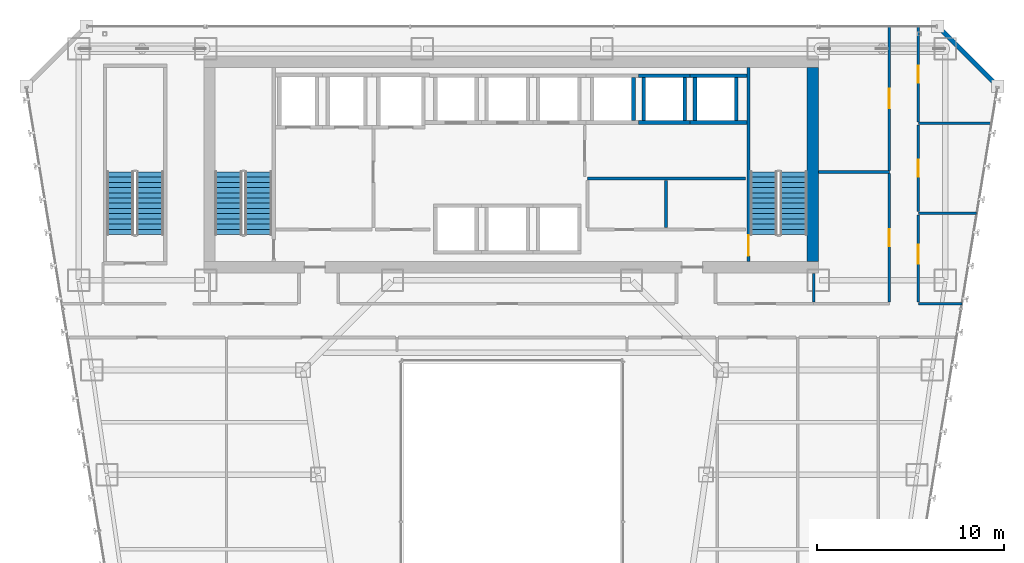
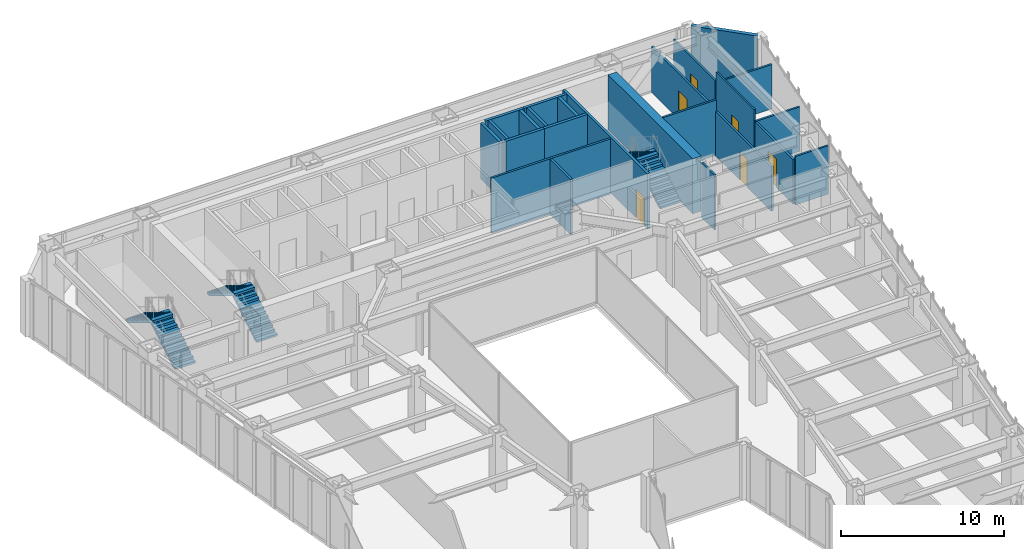
# One storey, part 38 of 47: 24 walls, 6 doors, 6 stair flights, 6 openings, 3 elements without a shape of their own.
"""IFC4 building model written with IfcOpenShell, lengths in metres."""

from ifc_helpers import new_model, si_unit, direction, frame, frame_2d, origin, place, context, subcontext, project, spatial, polyline, rectangle, outline, extrude, material, layer, layer_set, type_object, element, fill, aggregate, save


model = new_model("IFC4")

# Units and contexts
model_context = context("Model", 3, precision=1e-05, world=origin(), true_north=direction((0.0, 1.0)))
body_context = subcontext(model_context, "Body", "Model", "MODEL_VIEW")
ifc_project = project(units=[si_unit("LENGTHUNIT", "METRE"), si_unit("AREAUNIT", "SQUARE_METRE"), si_unit("VOLUMEUNIT", "CUBIC_METRE"), si_unit("PLANEANGLEUNIT", "RADIAN"), si_unit("MASSUNIT", "GRAM", prefix="KILO")], contexts=[model_context])

# Site, building, storey
site_placement = place(None, origin())
site = spatial("IfcSite", under=ifc_project, at=site_placement, CompositionType="ELEMENT")
building_placement = place(site_placement, origin())
building = spatial("IfcBuilding", under=site, at=building_placement, Name="Saevonmaru Cultural Tower", CompositionType="ELEMENT")
storey_placement = place(building_placement, frame((0.0, 0.0, 56.0)))
storey = spatial("IfcBuildingStorey", under=building, at=storey_placement, Name="L11", CompositionType="ELEMENT", Elevation=56.0)

# Walls
ifc_material_1 = material(Name="Concrete C60/75", Category="concrete")
ifc_layer_1 = layer(ifc_material_1, 0.60009765625, Name="Concrete C60/75")
ifc_layer_set_1 = layer_set([ifc_layer_1], Name="Concrete C60/75")
wall_type_1 = type_object("IfcWallType", Name="WL-CORE-600", PredefinedType="SHEAR", material=ifc_layer_set_1)
wall_1_placement = place(storey_placement, frame((46.10009765625, 43.39990234375, 0.0), z_axis=(0.0, 0.0, 1.0), x_axis=(0.0, 1.0, 0.0)))
element("IfcWall", 1, at=wall_1_placement, inside=storey, type_object=wall_type_1, Name="L11 Tower RC core shear wall E", PredefinedType="SHEAR", context=body_context, shape_type="SweptSolid", body=[
    extrude(rectangle(XDim=10.400146484375, YDim=0.60009765625, at=frame_2d((5.2001953125, 0.0))), origin(), (0.0, 0.0, 1.0), 4.14990234375),
])
ifc_material_2 = material(Name="Gypsum Fireboard Partition", Category="gypsum")
ifc_layer_2 = layer(ifc_material_2, 0.14990234375, Name="Gypsum Fireboard Partition")
ifc_layer_set_2 = layer_set([ifc_layer_2], Name="Gypsum Fireboard Partition")
wall_type_2 = type_object("IfcWallType", Name="WL-CORE-PART-150", PredefinedType="PARTITIONING", material=ifc_layer_set_2)
wall_2_placement = place(storey_placement, frame((34.050048828125, 47.85009765625, 0.0), z_axis=(0.0, 0.0, 1.0), x_axis=(1.0, 0.0, 0.0)))
element("IfcWall", 2, at=wall_2_placement, inside=storey, type_object=wall_type_2, Name="L11 Core Plant North Wall", PredefinedType="PARTITIONING", context=body_context, shape_type="SweptSolid", body=[
    extrude(rectangle(XDim=8.449951171875, YDim=0.14990234375, at=frame_2d((4.22509765625, 0.0))), origin(), (0.0, 0.0, 1.0), 4.14990234375),
])
wall_3_placement = place(storey_placement, frame((38.25, 45.219970703125, 0.0), z_axis=(0.0, 0.0, 1.0), x_axis=(0.0, 1.0, 0.0)))
element("IfcWall", 3, at=wall_3_placement, inside=storey, type_object=wall_type_2, Name="L11 Core Plant Split", PredefinedType="PARTITIONING", context=body_context, shape_type="SweptSolid", body=[
    extrude(rectangle(XDim=2.530029296875, YDim=0.14990234375, at=frame_2d((1.26513671875, 0.0))), origin(), (0.0, 0.0, 1.0), 4.14990234375),
])
ifc_material_3 = material(Name="Granite-Clad Precast Concrete C40/50", Category="masonry")
ifc_layer_3 = layer(ifc_material_3, 0.260009765625, Name="Granite-Clad Precast Concrete C40/50")
ifc_layer_set_3 = layer_set([ifc_layer_3], Name="Granite-Clad Precast Concrete C40/50")
wall_type_3 = type_object("IfcWallType", Name="WL-EXT-SPANDREL-260", PredefinedType="STANDARD", material=ifc_layer_set_3)
wall_4_placement = place(storey_placement, frame((55.886962890625, 52.9130859375, 0.0), z_axis=(0.0, 0.0, 1.0), x_axis=(-0.707106781187, 0.707106781187, 0.0)))
element("IfcWall", 4, at=wall_4_placement, inside=storey, type_object=wall_type_3, Name="L11 Chamfer Corner Spandrel Wall E9", PredefinedType="STANDARD", context=body_context, shape_type="SweptSolid", body=[
    extrude(rectangle(XDim=4.205810546875, YDim=0.260009765625, at=frame_2d((2.10302734375, 0.0))), origin(), (0.0, 0.0, 1.0), 4.14990234375),
])

# Wall, opening, door
ifc_layer_4 = layer(ifc_material_2, 0.14990234375, Name="Gypsum Fireboard Partition")
ifc_layer_set_4 = layer_set([ifc_layer_4], Name="Gypsum Fireboard Partition")
wall_type_4 = type_object("IfcWallType", Name="WL-PART-FIRE-150", PredefinedType="PARTITIONING", material=ifc_layer_set_4)
wall_5_placement = place(storey_placement, frame((50.199951171875, 48.2900390625, 0.0), z_axis=(0.0, 0.0, 1.0), x_axis=(0.0, 1.0, 0.0)))
wall_5 = element("IfcWall", 5, at=wall_5_placement, inside=storey, type_object=wall_type_4, Name="L11 Permanent Exhibition Gallery Corridor Wall", PredefinedType="PARTITIONING", context=body_context, shape_type="SweptSolid", body=[
    extrude(rectangle(XDim=7.705078125, YDim=0.14990234375, at=frame_2d((3.8525390625, 0.0))), origin(), (0.0, 0.0, 1.0), 3.43505859375),
])
opening_1_placement = place(wall_5_placement, frame((3.326904296875, 0.0, 0.0)))
opening_1 = element("IfcOpeningElement", 6, at=opening_1_placement, cuts=wall_5, Name="Opening ID-1", PredefinedType="OPENING", context=body_context, shape_type="SweptSolid", body=[
    extrude(rectangle(XDim=1.050048828125, YDim=2.14990234375, at=frame_2d((0.52490234375, 1.074951171875))), frame((0.0, 0.0849609375, 0.0), z_axis=(0.0, -1.0, 0.0), x_axis=(1.0, 0.0, 0.0)), (0.0, 0.0, 1.0), 0.169921875),
])
ifc_material_4 = material(Name="Satin Bronze Anodised Aluminium", Category="aluminium")
door_type_1 = type_object("IfcDoorType", Name="DR-INT-1050", OperationType="SINGLE_SWING_LEFT", PredefinedType="DOOR", material=ifc_material_4)
door_1_placement = place(opening_1_placement, origin())
door_1 = element("IfcDoor", 7, at=door_1_placement, inside=storey, type_object=door_type_1, Name="L11 Permanent Exhibition Gallery Door", OperationType="SINGLE_SWING_LEFT", OverallHeight=2.14990234375, OverallWidth=1.050048828125, PredefinedType="DOOR", context=body_context, shape_type="SweptSolid", body=[
    extrude(rectangle(XDim=1.050048828125, YDim=2.14990234375, at=frame_2d((0.52490234375, 1.074951171875))), frame((0.0, 0.02490234375, 0.0), z_axis=(0.0, -1.0, 0.0), x_axis=(1.0, 0.0, 0.0)), (0.0, 0.0, 1.0), 0.050048828125),
])
fill(opening_1, door_1)

wall_6_placement = place(storey_placement, frame((51.75, 41.237548828125, 0.0), z_axis=(0.0, 0.0, 1.0), x_axis=(0.0, 1.0, 0.0)))
wall_6 = element("IfcWall", 8, at=wall_6_placement, inside=storey, type_object=wall_type_4, Name="L11 Chamber Rehearsal Auditorium Corridor Wall", PredefinedType="PARTITIONING", context=body_context, shape_type="SweptSolid", body=[
    extrude(rectangle(XDim=4.675048828125, YDim=0.14990234375, at=frame_2d((2.33740234375, 0.0))), origin(), (0.0, 0.0, 1.0), 3.3349609375),
])
opening_2_placement = place(wall_6_placement, frame((2.05810546875, 0.0, 0.0)))
opening_2 = element("IfcOpeningElement", 9, at=opening_2_placement, cuts=wall_6, Name="Opening ID-1B", PredefinedType="OPENING", context=body_context, shape_type="SweptSolid", body=[
    extrude(rectangle(XDim=1.0, YDim=2.14990234375, at=frame_2d((0.5, 1.074951171875))), frame((0.0, 0.0849609375, 0.0), z_axis=(0.0, -1.0, 0.0), x_axis=(1.0, 0.0, 0.0)), (0.0, 0.0, 1.0), 0.169921875),
])
ifc_material_5 = material(Name="Acoustic Stained Oak Timber", Category="wood")
door_type_2 = type_object("IfcDoorType", Name="DR-INT-1000", OperationType="SINGLE_SWING_RIGHT", PredefinedType="DOOR", material=ifc_material_5)
door_2_placement = place(opening_2_placement, origin())
door_2 = element("IfcDoor", 10, at=door_2_placement, inside=storey, type_object=door_type_2, Name="L11 Chamber Rehearsal Auditorium Door", OperationType="SINGLE_SWING_RIGHT", OverallHeight=2.14990234375, OverallWidth=1.0, PredefinedType="DOOR", context=body_context, shape_type="SweptSolid", body=[
    extrude(rectangle(XDim=1.0, YDim=2.14990234375, at=frame_2d((0.5, 1.074951171875))), frame((0.0, 0.02490234375, 0.0), z_axis=(0.0, -1.0, 0.0), x_axis=(1.0, 0.0, 0.0)), (0.0, 0.0, 1.0), 0.050048828125),
])
fill(opening_2, door_2)

ifc_layer_5 = layer(ifc_material_2, 0.1201171875, Name="Gypsum Fireboard Partition")
ifc_layer_set_5 = layer_set([ifc_layer_5], Name="Gypsum Fireboard Partition")
wall_type_5 = type_object("IfcWallType", Name="WL-PART-GYP-120", PredefinedType="PARTITIONING", material=ifc_layer_set_5)
wall_7_placement = place(storey_placement, frame((51.75, 46.08740234375, 0.0), z_axis=(0.0, 0.0, 1.0), x_axis=(0.0, 1.0, 0.0)))
wall_7 = element("IfcWall", 11, at=wall_7_placement, inside=storey, type_object=wall_type_5, Name="L11 Urban Design Meeting Room Corridor Wall", PredefinedType="PARTITIONING", context=body_context, shape_type="SweptSolid", body=[
    extrude(rectangle(XDim=4.625, YDim=0.1201171875, at=frame_2d((2.3125, 0.0))), origin(), (0.0, 0.0, 1.0), 4.14990234375),
])
opening_3_placement = place(wall_7_placement, frame((1.863037109375, 0.0, 0.0)))
opening_3 = element("IfcOpeningElement", 12, at=opening_3_placement, cuts=wall_7, Name="Opening ID-2", PredefinedType="OPENING", context=body_context, shape_type="SweptSolid", body=[
    extrude(rectangle(XDim=0.89990234375, YDim=2.10009765625, at=frame_2d((0.449951171875, 1.050048828125))), frame((0.0, 0.070068359375, 0.0), z_axis=(0.0, -1.0, 0.0), x_axis=(1.0, 0.0, 0.0)), (0.0, 0.0, 1.0), 0.14013671875),
])
door_type_3 = type_object("IfcDoorType", Name="DR-INT-900", OperationType="SINGLE_SWING_RIGHT", PredefinedType="DOOR", material=ifc_material_5)
door_3_placement = place(opening_3_placement, origin())
door_3 = element("IfcDoor", 13, at=door_3_placement, inside=storey, type_object=door_type_3, Name="L11 Urban Design Meeting Room Door", OperationType="SINGLE_SWING_LEFT", OverallHeight=2.10009765625, OverallWidth=0.89990234375, PredefinedType="DOOR", context=body_context, shape_type="SweptSolid", body=[
    extrude(rectangle(XDim=0.89990234375, YDim=2.10009765625, at=frame_2d((0.449951171875, 1.050048828125))), frame((0.0, 0.02490234375, 0.0), z_axis=(0.0, -1.0, 0.0), x_axis=(1.0, 0.0, 0.0)), (0.0, 0.0, 1.0), 0.050048828125),
])
fill(opening_3, door_3)

wall_8_placement = place(storey_placement, frame((51.75, 50.887451171875, 0.0), z_axis=(0.0, 0.0, 1.0), x_axis=(0.0, 1.0, 0.0)))
wall_8 = element("IfcWall", 14, at=wall_8_placement, inside=storey, type_object=wall_type_5, Name="L11 Calligraphy Teaching Studio Corridor Wall", PredefinedType="PARTITIONING", context=body_context, shape_type="SweptSolid", body=[
    extrude(rectangle(XDim=5.107666015625, YDim=0.1201171875, at=frame_2d((2.5537109375, 0.0))), origin(), (0.0, 0.0, 1.0), 3.43505859375),
])
opening_4_placement = place(wall_8_placement, frame((2.10400390625, 0.0, 0.0)))
opening_4 = element("IfcOpeningElement", 15, at=opening_4_placement, cuts=wall_8, Name="Opening ID-2", PredefinedType="OPENING", context=body_context, shape_type="SweptSolid", body=[
    extrude(rectangle(XDim=0.89990234375, YDim=2.10009765625, at=frame_2d((0.449951171875, 1.050048828125))), frame((0.0, 0.070068359375, 0.0), z_axis=(0.0, -1.0, 0.0), x_axis=(1.0, 0.0, 0.0)), (0.0, 0.0, 1.0), 0.14013671875),
])
door_4_placement = place(opening_4_placement, origin())
door_4 = element("IfcDoor", 16, at=door_4_placement, inside=storey, type_object=door_type_3, Name="L11 Calligraphy Teaching Studio Door", OperationType="SINGLE_SWING_RIGHT", OverallHeight=2.10009765625, OverallWidth=0.89990234375, PredefinedType="DOOR", context=body_context, shape_type="SweptSolid", body=[
    extrude(rectangle(XDim=0.89990234375, YDim=2.10009765625, at=frame_2d((0.449951171875, 1.050048828125))), frame((0.0, 0.02490234375, 0.0), z_axis=(0.0, -1.0, 0.0), x_axis=(1.0, 0.0, 0.0)), (0.0, 0.0, 1.0), 0.050048828125),
])
fill(opening_4, door_4)

# Walls
ifc_layer_6 = layer(ifc_material_2, 0.135009765625, Name="Gypsum Fireboard Partition")
ifc_layer_set_6 = layer_set([ifc_layer_6], Name="Gypsum Fireboard Partition")
wall_type_6 = type_object("IfcWallType", Name="WL-PART-GYP-135", PredefinedType="PARTITIONING", material=ifc_layer_set_6)
wall_9_placement = place(storey_placement, frame((51.75, 41.14990234375, 0.0), z_axis=(0.0, 0.0, 1.0), x_axis=(1.0, 0.0, 0.0)))
element("IfcWall", 17, at=wall_9_placement, inside=storey, type_object=wall_type_6, Name="L11 NE Wing South Wall", PredefinedType="PARTITIONING", context=body_context, shape_type="SweptSolid", body=[
    extrude(rectangle(XDim=2.3359375, YDim=0.135009765625, at=frame_2d((1.16796875, 0.0))), origin(), (0.0, 0.0, 1.0), 3.635009765625),
])
wall_10_placement = place(storey_placement, frame((51.75, 46.0, 0.0), z_axis=(0.0, 0.0, 1.0), x_axis=(1.0, 0.0, 0.0)))
element("IfcWall", 18, at=wall_10_placement, inside=storey, type_object=wall_type_6, Name="L11 NE Studio Divider 1", PredefinedType="PARTITIONING", context=body_context, shape_type="SweptSolid", body=[
    extrude(rectangle(XDim=3.130615234375, YDim=0.135009765625, at=frame_2d((1.5654296875, 0.0))), origin(), (0.0, 0.0, 1.0), 3.3349609375),
])
wall_11_placement = place(storey_placement, frame((51.75, 50.800048828125, 0.0), z_axis=(0.0, 0.0, 1.0), x_axis=(1.0, 0.0, 0.0)))
element("IfcWall", 19, at=wall_11_placement, inside=storey, type_object=wall_type_6, Name="L11 NE Studio Divider 2", PredefinedType="PARTITIONING", context=body_context, shape_type="SweptSolid", body=[
    extrude(rectangle(XDim=3.917236328125, YDim=0.135009765625, at=frame_2d((1.95849609375, 0.0))), origin(), (0.0, 0.0, 1.0), 3.3349609375),
])
ifc_layer_7 = layer(ifc_material_2, 0.139892578125, Name="Gypsum Fireboard Partition")
ifc_layer_set_7 = layer_set([ifc_layer_7], Name="Gypsum Fireboard Partition")
wall_type_7 = type_object("IfcWallType", Name="WL-PART-WET-140", PredefinedType="PARTITIONING", material=ifc_layer_set_7)
wall_12_placement = place(storey_placement, frame((46.14990234375, 41.239990234375, 0.0), z_axis=(0.0, 0.0, 1.0), x_axis=(0.0, 1.0, 0.0)))
element("IfcWall", 20, at=wall_12_placement, inside=storey, type_object=wall_type_7, Name="L11 Washroom South-West Return", PredefinedType="PARTITIONING", context=body_context, shape_type="SweptSolid", body=[
    extrude(rectangle(XDim=1.5400390625, YDim=0.139892578125, at=frame_2d((0.77001953125, 0.0))), origin(), (0.0, 0.0, 1.0), 4.14990234375),
])
wall_13_placement = place(storey_placement, frame((46.419921875, 48.199951171875, 0.0), z_axis=(0.0, 0.0, 1.0), x_axis=(1.0, 0.0, 0.0)))
element("IfcWall", 21, at=wall_13_placement, inside=storey, type_object=wall_type_7, Name="L11 Washroom North Wall", PredefinedType="PARTITIONING", context=body_context, shape_type="SweptSolid", body=[
    extrude(rectangle(XDim=3.780029296875, YDim=0.139892578125, at=frame_2d((1.89013671875, 0.0))), origin(), (0.0, 0.0, 1.0), 4.14990234375),
])

# Wall, opening, door
wall_14_placement = place(storey_placement, frame((50.199951171875, 41.239990234375, 0.0), z_axis=(0.0, 0.0, 1.0), x_axis=(0.0, 1.0, 0.0)))
wall_14 = element("IfcWall", 22, at=wall_14_placement, inside=storey, type_object=wall_type_7, Name="L11 Washroom Corridor Wall", PredefinedType="PARTITIONING", context=body_context, shape_type="SweptSolid", body=[
    extrude(rectangle(XDim=6.8701171875, YDim=0.139892578125, at=frame_2d((3.43505859375, 0.0))), origin(), (0.0, 0.0, 1.0), 3.3349609375),
])
opening_5_placement = place(wall_14_placement, frame((2.985107421875, 0.0, 0.0)))
opening_5 = element("IfcOpeningElement", 23, at=opening_5_placement, cuts=wall_14, Name="Opening ID-2", PredefinedType="OPENING", context=body_context, shape_type="SweptSolid", body=[
    extrude(rectangle(XDim=0.89990234375, YDim=2.10009765625, at=frame_2d((0.449951171875, 1.050048828125))), frame((0.0, 0.080078125, 0.0), z_axis=(0.0, -1.0, 0.0), x_axis=(1.0, 0.0, 0.0)), (0.0, 0.0, 1.0), 0.159912109375),
])
door_5_placement = place(opening_5_placement, origin())
door_5 = element("IfcDoor", 24, at=door_5_placement, inside=storey, type_object=door_type_3, Name="L11 Public Accessible Washrooms Door", OperationType="SINGLE_SWING_RIGHT", OverallHeight=2.10009765625, OverallWidth=0.89990234375, PredefinedType="DOOR", context=body_context, shape_type="SweptSolid", body=[
    extrude(rectangle(XDim=0.89990234375, YDim=2.10009765625, at=frame_2d((0.449951171875, 1.050048828125))), frame((0.0, 0.02490234375, 0.0), z_axis=(0.0, -1.0, 0.0), x_axis=(1.0, 0.0, 0.0)), (0.0, 0.0, 1.0), 0.050048828125),
])
fill(opening_5, door_5)

# Walls
ifc_material_6 = material(Name="Concrete C40/50", Category="concrete")
ifc_layer_8 = layer(ifc_material_6, 0.199951171875, Name="Concrete C40/50")
ifc_layer_set_8 = layer_set([ifc_layer_8], Name="Concrete C40/50")
wall_type_8 = type_object("IfcWallType", Name="WL-SHAFT-200", PredefinedType="SHEAR", material=ifc_layer_set_8)
wall_15_placement = place(storey_placement, frame((36.5, 50.949951171875, 0.0), z_axis=(0.0, 0.0, 1.0), x_axis=(0.0, 1.0, 0.0)))
element("IfcWall", 25, at=wall_15_placement, inside=storey, type_object=wall_type_8, Name="L11 Lift PL-H1 Hoistway Wall E", PredefinedType="SHEAR", context=body_context, shape_type="SweptSolid", body=[
    extrude(rectangle(XDim=2.300048828125, YDim=0.199951171875, at=frame_2d((1.14990234375, 0.0))), origin(), (0.0, 0.0, 1.0), 4.14990234375),
])
for number, where, z_axis, x_axis, name in (
    (26, (36.77490234375, 50.85009765625, 0.0), (0.0, 0.0, 1.0), (1.0, 0.0, 0.0), "L11 Lift PL-H2 Hoistway Wall S"),
    (27, (36.77490234375, 53.35009765625, 0.0), (0.0, 0.0, 1.0), (1.0, 0.0, 0.0), "L11 Lift PL-H2 Hoistway Wall N"),
):
    element("IfcWall", number, at=place(storey_placement, frame(where, z_axis=z_axis, x_axis=x_axis)), inside=storey, type_object=wall_type_8, Name=name, PredefinedType="SHEAR", context=body_context, shape_type="SweptSolid", body=[
        extrude(rectangle(XDim=2.75, YDim=0.199951171875, at=frame_2d((1.375, 0.0))), origin(), (0.0, 0.0, 1.0), 4.14990234375),
    ])
for number, where, z_axis, x_axis, name in (
    (28, (37.050048828125, 50.949951171875, 0.0), (0.0, 0.0, 1.0), (0.0, 1.0, 0.0), "L11 Lift PL-H2 Hoistway Wall W"),
    (29, (39.25, 50.949951171875, 0.0), (0.0, 0.0, 1.0), (0.0, 1.0, 0.0), "L11 Lift PL-H2 Hoistway Wall E"),
):
    element("IfcWall", number, at=place(storey_placement, frame(where, z_axis=z_axis, x_axis=x_axis)), inside=storey, type_object=wall_type_8, Name=name, PredefinedType="SHEAR", context=body_context, shape_type="SweptSolid", body=[
        extrude(rectangle(XDim=2.300048828125, YDim=0.199951171875, at=frame_2d((1.14990234375, 0.0))), origin(), (0.0, 0.0, 1.0), 4.14990234375),
    ])
for number, where, z_axis, x_axis, name in (
    (30, (39.52490234375, 50.85009765625, 0.0), (0.0, 0.0, 1.0), (1.0, 0.0, 0.0), "L11 Lift PL-H3 Hoistway Wall S"),
    (31, (39.52490234375, 53.35009765625, 0.0), (0.0, 0.0, 1.0), (1.0, 0.0, 0.0), "L11 Lift PL-H3 Hoistway Wall N"),
):
    element("IfcWall", number, at=place(storey_placement, frame(where, z_axis=z_axis, x_axis=x_axis)), inside=storey, type_object=wall_type_8, Name=name, PredefinedType="SHEAR", context=body_context, shape_type="SweptSolid", body=[
        extrude(rectangle(XDim=3.045166015625, YDim=0.199951171875, at=frame_2d((1.5224609375, 0.0))), origin(), (0.0, 0.0, 1.0), 4.14990234375),
    ])
for number, where, z_axis, x_axis, name in (
    (32, (39.800048828125, 50.949951171875, 0.0), (0.0, 0.0, 1.0), (0.0, 1.0, 0.0), "L11 Lift PL-H3 Hoistway Wall W"),
    (33, (42.0, 50.949951171875, 0.0), (0.0, 0.0, 1.0), (0.0, 1.0, 0.0), "L11 Lift PL-H3 Hoistway Wall E"),
):
    element("IfcWall", number, at=place(storey_placement, frame(where, z_axis=z_axis, x_axis=x_axis)), inside=storey, type_object=wall_type_8, Name=name, PredefinedType="SHEAR", context=body_context, shape_type="SweptSolid", body=[
        extrude(rectangle(XDim=2.300048828125, YDim=0.199951171875, at=frame_2d((1.14990234375, 0.0))), origin(), (0.0, 0.0, 1.0), 4.14990234375),
    ])

# Wall, opening, door
ifc_layer_9 = layer(ifc_material_6, 0.179931640625, Name="Concrete C40/50")
ifc_layer_set_9 = layer_set([ifc_layer_9], Name="Concrete C40/50")
wall_type_9 = type_object("IfcWallType", Name="WL-STSHAFT-180", PredefinedType="SHEAR", material=ifc_layer_set_9)
wall_16_placement = place(storey_placement, frame((42.659912109375, 53.800048828125, 0.0), z_axis=(0.0, 0.0, 1.0), x_axis=(0.0, -1.0, 0.0)))
wall_16 = element("IfcWall", 34, at=wall_16_placement, inside=storey, type_object=wall_type_9, Name="L11 Stair ST-2 Structural Shaft Wall 1", PredefinedType="SHEAR", context=body_context, shape_type="SweptSolid", body=[
    extrude(rectangle(XDim=10.400146484375, YDim=0.179931640625, at=frame_2d((5.2001953125, 0.0))), origin(), (0.0, 0.0, 1.0), 4.14990234375),
])
opening_6_placement = place(wall_16_placement, frame((8.989990234375, 0.0, 0.0)))
opening_6 = element("IfcOpeningElement", 35, at=opening_6_placement, cuts=wall_16, Name="Opening FD-2", PredefinedType="OPENING", context=body_context, shape_type="SweptSolid", body=[
    extrude(rectangle(XDim=1.10009765625, YDim=2.14990234375, at=frame_2d((0.550048828125, 1.074951171875))), frame((0.0, 0.10009765625, 0.0), z_axis=(0.0, -1.0, 0.0), x_axis=(1.0, 0.0, 0.0)), (0.0, 0.0, 1.0), 0.199951171875),
])
door_type_4 = type_object("IfcDoorType", Name="DR-FD60-1100", OperationType="SINGLE_SWING_LEFT", PredefinedType="DOOR", material=ifc_material_4)
door_6_placement = place(opening_6_placement, origin())
door_6 = element("IfcDoor", 36, at=door_6_placement, inside=storey, type_object=door_type_4, Name="L11 Protected Stair ST-2 Fire Door", OperationType="SINGLE_SWING_LEFT", OverallHeight=2.14990234375, OverallWidth=1.10009765625, PredefinedType="DOOR", context=body_context, shape_type="SweptSolid", body=[
    extrude(rectangle(XDim=1.10009765625, YDim=2.14990234375, at=frame_2d((0.550048828125, 1.074951171875))), frame((0.0, 0.02490234375, 0.0), z_axis=(0.0, -1.0, 0.0), x_axis=(1.0, 0.0, 0.0)), (0.0, 0.0, 1.0), 0.050048828125),
])
fill(opening_6, door_6)

# Stair, stair flights
stair_type = type_object("IfcStairType", Name="STR-DOGLEG-RC", PredefinedType="HALF_TURN_STAIR", material=ifc_material_6)
stair_1_placement = place(storey_placement, origin())
stair_1 = element("IfcStair", 37, at=stair_1_placement, inside=storey, type_object=stair_type, Name="L11 Protected exit stair ST-1", PredefinedType="HALF_TURN_STAIR")
ifc_material_7 = material(Name="Precast concrete C40/50", Category="concrete")
stair_flight_type = type_object("IfcStairFlightType", Name="STF-PRECAST-180", PredefinedType="STRAIGHT", material=ifc_material_7)
stair_flight_1_placement = place(storey_placement, frame((16.425048828125, 44.85009765625, 0.0), z_axis=(0.0, 0.0, 1.0), x_axis=(0.0, 1.0, 0.0)))
stair_flight_1 = element("IfcStairFlight", 38, at=stair_flight_1_placement, type_object=stair_flight_type, Name="ST-1-L11 flight 1", NumberOfRisers=13, NumberOfTreads=12, PredefinedType="STRAIGHT", RiserHeight=0.169230769, TreadLength=0.28, context=body_context, shape_type="SweptSolid", body=[
    extrude(outline(polyline([(0.0, 0.0), (0.0, 0.169189453125), (0.280029296875, 0.169189453125), (0.280029296875, 0.33837890625), (0.56005859375, 0.33837890625), (0.56005859375, 0.5078125), (0.840087890625, 0.5078125), (0.840087890625, 0.677001953125), (1.1201171875, 0.677001953125), (1.1201171875, 0.84619140625), (1.39990234375, 0.84619140625), (1.39990234375, 1.015380859375), (1.679931640625, 1.015380859375), (1.679931640625, 1.1845703125), (1.9599609375, 1.1845703125), (1.9599609375, 1.353759765625), (2.239990234375, 1.353759765625), (2.239990234375, 1.523193359375), (2.52001953125, 1.523193359375), (2.52001953125, 1.6923828125), (2.800048828125, 1.6923828125), (2.800048828125, 1.861572265625), (3.080078125, 1.861572265625), (3.080078125, 2.03076171875), (3.360107421875, 2.03076171875), (3.360107421875, 2.199951171875), (3.360107421875, 1.855712890625), (0.289794921875, 0.0), (0.0, 0.0)])), frame((0.0, 0.72509765625, 0.0), z_axis=(0.0, -1.0, 0.0), x_axis=(1.0, 0.0, 0.0)), (0.0, 0.0, 1.0), 1.449951171875),
])
stair_flight_2_placement = place(storey_placement, frame((14.824951171875, 48.2099609375, 2.199951171875), z_axis=(0.0, 0.0, 1.0), x_axis=(0.0, -1.0, 0.0)))
stair_flight_2 = element("IfcStairFlight", 39, at=stair_flight_2_placement, type_object=stair_flight_type, Name="ST-1-L11 flight 2", NumberOfRisers=13, NumberOfTreads=12, PredefinedType="STRAIGHT", RiserHeight=0.169230769, TreadLength=0.28, context=body_context, shape_type="SweptSolid", body=[
    extrude(outline(polyline([(0.0, 0.0), (0.0, 0.169189453125), (0.280029296875, 0.169189453125), (0.280029296875, 0.33837890625), (0.56005859375, 0.33837890625), (0.56005859375, 0.5078125), (0.840087890625, 0.5078125), (0.840087890625, 0.677001953125), (1.1201171875, 0.677001953125), (1.1201171875, 0.84619140625), (1.39990234375, 0.84619140625), (1.39990234375, 1.015380859375), (1.679931640625, 1.015380859375), (1.679931640625, 1.1845703125), (1.9599609375, 1.1845703125), (1.9599609375, 1.353759765625), (2.239990234375, 1.353759765625), (2.239990234375, 1.523193359375), (2.52001953125, 1.523193359375), (2.52001953125, 1.6923828125), (2.800048828125, 1.6923828125), (2.800048828125, 1.861572265625), (3.080078125, 1.861572265625), (3.080078125, 2.03076171875), (3.360107421875, 2.03076171875), (3.360107421875, 2.199951171875), (3.360107421875, 1.855712890625), (0.289794921875, 0.0), (0.0, 0.0)])), frame((0.0, 0.72509765625, 0.0), z_axis=(0.0, -1.0, 0.0), x_axis=(1.0, 0.0, 0.0)), (0.0, 0.0, 1.0), 1.449951171875),
])
aggregate(stair_1, [stair_flight_1, stair_flight_2])

stair_2_placement = place(storey_placement, origin())
stair_2 = element("IfcStair", 40, at=stair_2_placement, inside=storey, type_object=stair_type, Name="L11 Protected exit stair ST-2", PredefinedType="HALF_TURN_STAIR")
stair_flight_3_placement = place(storey_placement, frame((45.074951171875, 44.85009765625, 0.0), z_axis=(0.0, 0.0, 1.0), x_axis=(0.0, 1.0, 0.0)))
stair_flight_3 = element("IfcStairFlight", 41, at=stair_flight_3_placement, type_object=stair_flight_type, Name="ST-2-L11 flight 1", NumberOfRisers=13, NumberOfTreads=12, PredefinedType="STRAIGHT", RiserHeight=0.169230769, TreadLength=0.28, context=body_context, shape_type="SweptSolid", body=[
    extrude(outline(polyline([(0.0, 0.0), (0.0, 0.169189453125), (0.280029296875, 0.169189453125), (0.280029296875, 0.33837890625), (0.56005859375, 0.33837890625), (0.56005859375, 0.5078125), (0.840087890625, 0.5078125), (0.840087890625, 0.677001953125), (1.1201171875, 0.677001953125), (1.1201171875, 0.84619140625), (1.39990234375, 0.84619140625), (1.39990234375, 1.015380859375), (1.679931640625, 1.015380859375), (1.679931640625, 1.1845703125), (1.9599609375, 1.1845703125), (1.9599609375, 1.353759765625), (2.239990234375, 1.353759765625), (2.239990234375, 1.523193359375), (2.52001953125, 1.523193359375), (2.52001953125, 1.6923828125), (2.800048828125, 1.6923828125), (2.800048828125, 1.861572265625), (3.080078125, 1.861572265625), (3.080078125, 2.03076171875), (3.360107421875, 2.03076171875), (3.360107421875, 2.199951171875), (3.360107421875, 1.855712890625), (0.289794921875, 0.0), (0.0, 0.0)])), frame((0.0, 0.72509765625, 0.0), z_axis=(0.0, -1.0, 0.0), x_axis=(1.0, 0.0, 0.0)), (0.0, 0.0, 1.0), 1.449951171875),
])
stair_flight_4_placement = place(storey_placement, frame((43.47509765625, 48.2099609375, 2.199951171875), z_axis=(0.0, 0.0, 1.0), x_axis=(0.0, -1.0, 0.0)))
stair_flight_4 = element("IfcStairFlight", 42, at=stair_flight_4_placement, type_object=stair_flight_type, Name="ST-2-L11 flight 2", NumberOfRisers=13, NumberOfTreads=12, PredefinedType="STRAIGHT", RiserHeight=0.169230769, TreadLength=0.28, context=body_context, shape_type="SweptSolid", body=[
    extrude(outline(polyline([(0.0, 0.0), (0.0, 0.169189453125), (0.280029296875, 0.169189453125), (0.280029296875, 0.33837890625), (0.56005859375, 0.33837890625), (0.56005859375, 0.5078125), (0.840087890625, 0.5078125), (0.840087890625, 0.677001953125), (1.1201171875, 0.677001953125), (1.1201171875, 0.84619140625), (1.39990234375, 0.84619140625), (1.39990234375, 1.015380859375), (1.679931640625, 1.015380859375), (1.679931640625, 1.1845703125), (1.9599609375, 1.1845703125), (1.9599609375, 1.353759765625), (2.239990234375, 1.353759765625), (2.239990234375, 1.523193359375), (2.52001953125, 1.523193359375), (2.52001953125, 1.6923828125), (2.800048828125, 1.6923828125), (2.800048828125, 1.861572265625), (3.080078125, 1.861572265625), (3.080078125, 2.03076171875), (3.360107421875, 2.03076171875), (3.360107421875, 2.199951171875), (3.360107421875, 1.855712890625), (0.289794921875, 0.0), (0.0, 0.0)])), frame((0.0, 0.72509765625, 0.0), z_axis=(0.0, -1.0, 0.0), x_axis=(1.0, 0.0, 0.0)), (0.0, 0.0, 1.0), 1.449951171875),
])
aggregate(stair_2, [stair_flight_3, stair_flight_4])

stair_3_placement = place(storey_placement, origin())
stair_3 = element("IfcStair", 43, at=stair_3_placement, inside=storey, type_object=stair_type, Name="L11 Protected exit stair ST-3", PredefinedType="HALF_TURN_STAIR")
stair_flight_5_placement = place(storey_placement, frame((10.625, 44.85009765625, 0.0), z_axis=(0.0, 0.0, 1.0), x_axis=(0.0, 1.0, 0.0)))
stair_flight_5 = element("IfcStairFlight", 44, at=stair_flight_5_placement, type_object=stair_flight_type, Name="ST-3-L11 flight 1", NumberOfRisers=13, NumberOfTreads=12, PredefinedType="STRAIGHT", RiserHeight=0.169230769, TreadLength=0.28, context=body_context, shape_type="SweptSolid", body=[
    extrude(outline(polyline([(0.0, 0.0), (0.0, 0.169189453125), (0.280029296875, 0.169189453125), (0.280029296875, 0.33837890625), (0.56005859375, 0.33837890625), (0.56005859375, 0.5078125), (0.840087890625, 0.5078125), (0.840087890625, 0.677001953125), (1.1201171875, 0.677001953125), (1.1201171875, 0.84619140625), (1.39990234375, 0.84619140625), (1.39990234375, 1.015380859375), (1.679931640625, 1.015380859375), (1.679931640625, 1.1845703125), (1.9599609375, 1.1845703125), (1.9599609375, 1.353759765625), (2.239990234375, 1.353759765625), (2.239990234375, 1.523193359375), (2.52001953125, 1.523193359375), (2.52001953125, 1.6923828125), (2.800048828125, 1.6923828125), (2.800048828125, 1.861572265625), (3.080078125, 1.861572265625), (3.080078125, 2.03076171875), (3.360107421875, 2.03076171875), (3.360107421875, 2.199951171875), (3.360107421875, 1.855712890625), (0.289794921875, 0.0), (0.0, 0.0)])), frame((0.0, 0.72509765625, 0.0), z_axis=(0.0, -1.0, 0.0), x_axis=(1.0, 0.0, 0.0)), (0.0, 0.0, 1.0), 1.449951171875),
])
stair_flight_6_placement = place(storey_placement, frame((9.02490234375, 48.2099609375, 2.199951171875), z_axis=(0.0, 0.0, 1.0), x_axis=(0.0, -1.0, 0.0)))
stair_flight_6 = element("IfcStairFlight", 45, at=stair_flight_6_placement, type_object=stair_flight_type, Name="ST-3-L11 flight 2", NumberOfRisers=13, NumberOfTreads=12, PredefinedType="STRAIGHT", RiserHeight=0.169230769, TreadLength=0.28, context=body_context, shape_type="SweptSolid", body=[
    extrude(outline(polyline([(0.0, 0.0), (0.0, 0.169189453125), (0.280029296875, 0.169189453125), (0.280029296875, 0.33837890625), (0.56005859375, 0.33837890625), (0.56005859375, 0.5078125), (0.840087890625, 0.5078125), (0.840087890625, 0.677001953125), (1.1201171875, 0.677001953125), (1.1201171875, 0.84619140625), (1.39990234375, 0.84619140625), (1.39990234375, 1.015380859375), (1.679931640625, 1.015380859375), (1.679931640625, 1.1845703125), (1.9599609375, 1.1845703125), (1.9599609375, 1.353759765625), (2.239990234375, 1.353759765625), (2.239990234375, 1.523193359375), (2.52001953125, 1.523193359375), (2.52001953125, 1.6923828125), (2.800048828125, 1.6923828125), (2.800048828125, 1.861572265625), (3.080078125, 1.861572265625), (3.080078125, 2.03076171875), (3.360107421875, 2.03076171875), (3.360107421875, 2.199951171875), (3.360107421875, 1.855712890625), (0.289794921875, 0.0), (0.0, 0.0)])), frame((0.0, 0.72509765625, 0.0), z_axis=(0.0, -1.0, 0.0), x_axis=(1.0, 0.0, 0.0)), (0.0, 0.0, 1.0), 1.449951171875),
])
aggregate(stair_3, [stair_flight_5, stair_flight_6])

save(model, "model.ifc")
